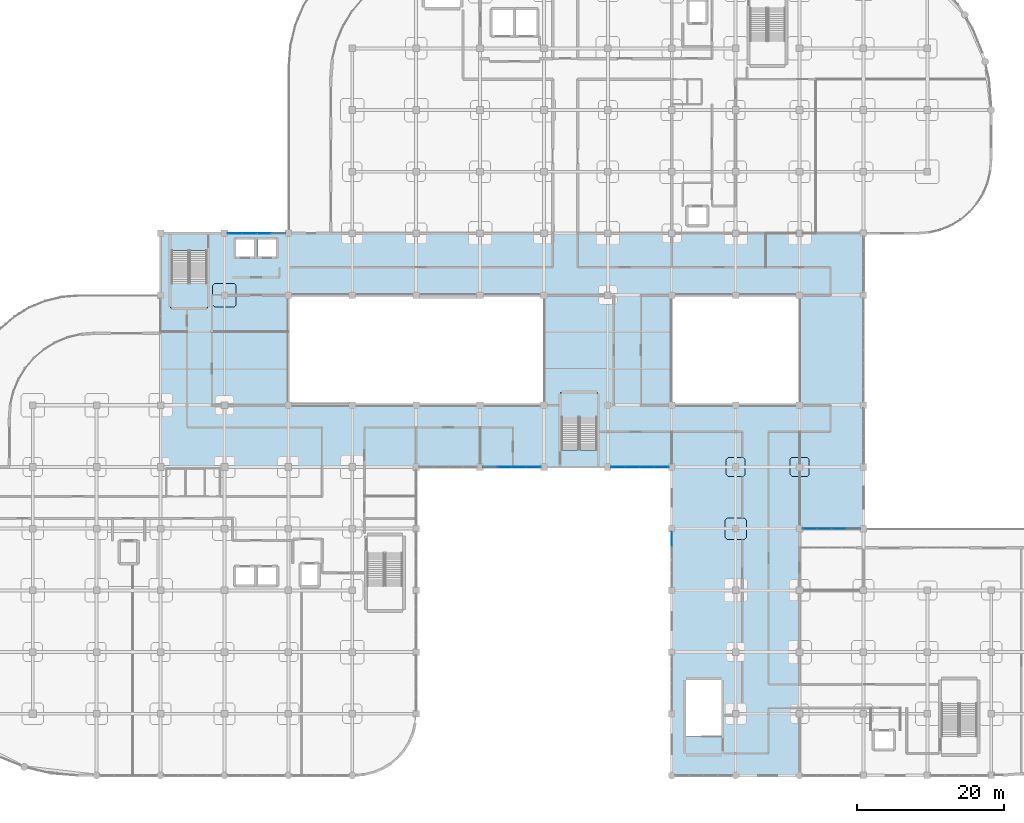
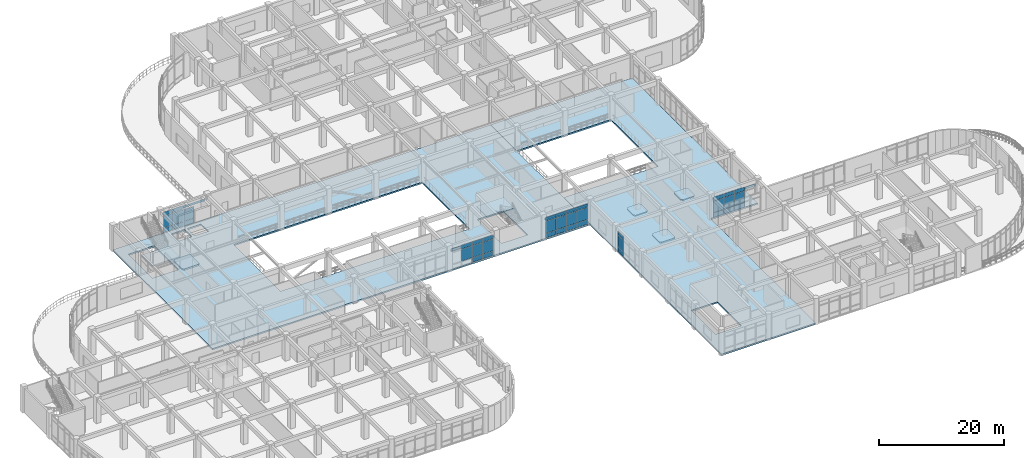
# One storey, part 91 of 120: 44 plates, 8 slabs, 7 elements without a shape of their own.
"""IFC4 building model written with IfcOpenShell, lengths in metres."""

from ifc_helpers import new_model, si_unit, derived_unit, direction, frame, origin, origin_2d, place, context, subcontext, project, spatial, polyline, rectangle, outline, extrude, material, layer, layer_set, type_object, element, aggregate, save


model = new_model("IFC4")

# Units and contexts
model_context = context("Model", 3, precision=1e-05, world=origin(), true_north=direction((0.0, 1.0)))
body_context = subcontext(model_context, "Body", "Model", "MODEL_VIEW")
ifc_project = project(units=[si_unit("LENGTHUNIT", "METRE"), si_unit("AREAUNIT", "SQUARE_METRE"), si_unit("VOLUMEUNIT", "CUBIC_METRE"), si_unit("PLANEANGLEUNIT", "RADIAN"), si_unit("MASSUNIT", "GRAM", prefix="KILO"), derived_unit("THERMALTRANSMITTANCEUNIT", [(si_unit("MASSUNIT", "GRAM", prefix="KILO"), 1), (si_unit("TIMEUNIT", "SECOND"), -3), (si_unit("THERMODYNAMICTEMPERATUREUNIT", "KELVIN"), -1)])], contexts=[model_context])

# Site, building, storey
site_placement = place(None, origin())
site = spatial("IfcSite", under=ifc_project, at=site_placement, CompositionType="ELEMENT")
building_placement = place(site_placement, origin())
building = spatial("IfcBuilding", under=site, at=building_placement, Name="Qinzheling Arcade Emporium", CompositionType="ELEMENT")
storey_placement = place(building_placement, frame((0.0, 0.0, 11.39990234375)))
storey = spatial("IfcBuildingStorey", under=building, at=storey_placement, Name="L03", CompositionType="ELEMENT", Elevation=11.39990234375)

# Slabs
ifc_material_1 = material(Name="Concrete C40", Category="concrete")
ifc_layer_1 = layer(ifc_material_1, 0.235107421875, Name="Concrete C40", Category="concrete")
ifc_layer_set_1 = layer_set([ifc_layer_1], Name="Concrete C40")
slab_type_1 = type_object("IfcSlabType", Name="Column Head Drop Panel 2600x2600x235 C40", PredefinedType="USERDEFINED", material=ifc_layer_set_1)
slab_1_placement = place(storey_placement, frame((0.0, 0.0, -0.514892578125)))
element("IfcSlab", 1, at=slab_1_placement, inside=storey, type_object=slab_type_1, Name="Column Drop Panel DP-L03-14-F", ObjectType="DROP_PANEL", PredefinedType="USERDEFINED", context=body_context, shape_type="SweptSolid", body=[
    extrude(outline(polyline([(112.080078125, 40.699951171875), (114.1201171875, 40.699951171875), (114.39990234375, 40.97998046875), (114.39990234375, 43.02001953125), (114.1201171875, 43.300048828125), (112.080078125, 43.300048828125), (111.800048828125, 43.02001953125), (111.800048828125, 40.97998046875), (112.080078125, 40.699951171875)])), origin(), (0.0, 0.0, 1.0), 0.235107421875),
])
slab_2_placement = place(storey_placement, frame((0.0, 0.0, -0.514892578125)))
element("IfcSlab", 2, at=slab_2_placement, inside=storey, type_object=slab_type_1, Name="Column Drop Panel DP-L03-15-F", ObjectType="DROP_PANEL", PredefinedType="USERDEFINED", context=body_context, shape_type="SweptSolid", body=[
    extrude(outline(polyline([(120.780029296875, 40.699951171875), (122.820068359375, 40.699951171875), (123.10009765625, 40.97998046875), (123.10009765625, 43.02001953125), (122.820068359375, 43.300048828125), (120.780029296875, 43.300048828125), (120.5, 43.02001953125), (120.5, 40.97998046875), (120.780029296875, 40.699951171875)])), origin(), (0.0, 0.0, 1.0), 0.235107421875),
])
ifc_layer_2 = layer(ifc_material_1, 0.27001953125, Name="Concrete C40", Category="concrete")
ifc_layer_set_2 = layer_set([ifc_layer_2], Name="Concrete C40")
slab_type_2 = type_object("IfcSlabType", Name="Column Head Drop Panel 2900x2900x270 C40", PredefinedType="USERDEFINED", material=ifc_layer_set_2)
slab_3_placement = place(storey_placement, frame((0.0, 0.0, -0.5498046875)))
element("IfcSlab", 3, at=slab_3_placement, inside=storey, type_object=slab_type_2, Name="Column Drop Panel DP-L03-14-E", ObjectType="DROP_PANEL", PredefinedType="USERDEFINED", context=body_context, shape_type="SweptSolid", body=[
    extrude(outline(polyline([(111.929931640625, 32.14990234375), (114.27001953125, 32.14990234375), (114.550048828125, 32.429931640625), (114.550048828125, 34.77001953125), (114.27001953125, 35.050048828125), (111.929931640625, 35.050048828125), (111.64990234375, 34.77001953125), (111.64990234375, 32.429931640625), (111.929931640625, 32.14990234375)])), origin(), (0.0, 0.0, 1.0), 0.27001953125),
])
ifc_layer_3 = layer(ifc_material_1, 0.300048828125, Name="Concrete C40", Category="concrete")
ifc_layer_set_3 = layer_set([ifc_layer_3], Name="Concrete C40")
slab_type_3 = type_object("IfcSlabType", Name="Column Head Drop Panel 3200x3200x300 C40", PredefinedType="USERDEFINED", material=ifc_layer_set_3)
slab_4_placement = place(storey_placement, frame((0.0, 0.0, -0.579833984375)))
element("IfcSlab", 4, at=slab_4_placement, inside=storey, type_object=slab_type_3, Name="Column Drop Panel DP-L03-6-H", ObjectType="DROP_PANEL", PredefinedType="USERDEFINED", context=body_context, shape_type="SweptSolid", body=[
    extrude(outline(polyline([(42.179931640625, 63.800048828125), (44.820068359375, 63.800048828125), (45.10009765625, 64.080078125), (45.10009765625, 66.719970703125), (44.820068359375, 67.0), (42.179931640625, 67.0), (41.89990234375, 66.719970703125), (41.89990234375, 64.080078125), (42.179931640625, 63.800048828125)])), origin(), (0.0, 0.0, 1.0), 0.300048828125),
])

# Curtain wall, plates
ifc_material_2 = material(Name="Anodised aluminium and solar-control double glazing", Category="aluminium")
ifc_layer_4 = layer(ifc_material_2, 0.159912109375, Name="Anodised aluminium and solar-control double glazing", Category="aluminium")
ifc_layer_set_4 = layer_set([ifc_layer_4], Name="Anodised aluminium and solar-control double glazing")
curtain_wall_type_1 = type_object("IfcCurtainWallType", Name="Atrium Clerestory Curtain Wall", PredefinedType="NOTDEFINED", material=ifc_layer_set_4)
curtain_wall_1_placement = place(storey_placement, origin())
curtain_wall_1 = element("IfcCurtainWall", 5, at=curtain_wall_1_placement, inside=storey, type_object=curtain_wall_type_1, Name="Curtain Wall CW-L03-142", PredefinedType="NOTDEFINED")
ifc_material_3 = material(Name="Laminated solar-control double glazing", Category="glass")
ifc_layer_5 = layer(ifc_material_3, 0.02099609375, Name="Laminated solar-control double glazing", Category="glass")
ifc_layer_set_5 = layer_set([ifc_layer_5], Name="Laminated solar-control double glazing")
plate_type_1 = type_object("IfcPlateType", Name="Low-E Double Glazed Curtain Panel 21mm", PredefinedType="CURTAIN_PANEL", material=ifc_layer_set_5)
plate_1_placement = place(storey_placement, frame((102.95849609375, 42.0, 0.06005859375), z_axis=(0.0, 0.0, 1.0), x_axis=(-1.0, 0.0, 0.0)))
plate_1 = element("IfcPlate", 6, at=plate_1_placement, type_object=plate_type_1, Name="CW03 panel 1.1", PredefinedType="CURTAIN_PANEL", context=body_context, shape_type="SweptSolid", body=[
    extrude(rectangle(XDim=1.85888671875, YDim=0.02099609375, at=origin_2d()), origin(), (0.0, 0.0, 1.0), 0.860107421875),
])
plate_2_placement = place(storey_placement, frame((102.95849609375, 42.0, 0.980224609375), z_axis=(0.0, 0.0, 1.0), x_axis=(-1.0, 0.0, 0.0)))
plate_2 = element("IfcPlate", 7, at=plate_2_placement, type_object=plate_type_1, Name="CW03 panel 1.2", PredefinedType="CURTAIN_PANEL", context=body_context, shape_type="SweptSolid", body=[
    extrude(rectangle(XDim=1.85888671875, YDim=0.02099609375, at=origin_2d()), origin(), (0.0, 0.0, 1.0), 2.294921875),
])
plate_3_placement = place(storey_placement, frame((102.95849609375, 42.0, 3.3349609375), z_axis=(0.0, 0.0, 1.0), x_axis=(-1.0, 0.0, 0.0)))
plate_3 = element("IfcPlate", 8, at=plate_3_placement, type_object=plate_type_1, Name="CW03 panel 1.3", PredefinedType="CURTAIN_PANEL", context=body_context, shape_type="SweptSolid", body=[
    extrude(rectangle(XDim=1.85888671875, YDim=0.02099609375, at=origin_2d()), origin(), (0.0, 0.0, 1.0), 0.760009765625),
])
plate_4_placement = place(storey_placement, frame((101.0244140625, 42.0, 0.06005859375), z_axis=(0.0, 0.0, 1.0), x_axis=(-1.0, 0.0, 0.0)))
plate_4 = element("IfcPlate", 9, at=plate_4_placement, type_object=plate_type_1, Name="CW03 panel 2.1", PredefinedType="CURTAIN_PANEL", context=body_context, shape_type="SweptSolid", body=[
    extrude(rectangle(XDim=1.888916015625, YDim=0.02099609375, at=origin_2d()), origin(), (0.0, 0.0, 1.0), 0.860107421875),
])
plate_5_placement = place(storey_placement, frame((101.0244140625, 42.0, 0.980224609375), z_axis=(0.0, 0.0, 1.0), x_axis=(-1.0, 0.0, 0.0)))
plate_5 = element("IfcPlate", 10, at=plate_5_placement, type_object=plate_type_1, Name="CW03 panel 2.2", PredefinedType="CURTAIN_PANEL", context=body_context, shape_type="SweptSolid", body=[
    extrude(rectangle(XDim=1.888916015625, YDim=0.02099609375, at=origin_2d()), origin(), (0.0, 0.0, 1.0), 2.294921875),
])
plate_6_placement = place(storey_placement, frame((101.0244140625, 42.0, 3.3349609375), z_axis=(0.0, 0.0, 1.0), x_axis=(-1.0, 0.0, 0.0)))
plate_6 = element("IfcPlate", 11, at=plate_6_placement, type_object=plate_type_1, Name="CW03 panel 2.3", PredefinedType="CURTAIN_PANEL", context=body_context, shape_type="SweptSolid", body=[
    extrude(rectangle(XDim=1.888916015625, YDim=0.02099609375, at=origin_2d()), origin(), (0.0, 0.0, 1.0), 0.760009765625),
])
plate_7_placement = place(storey_placement, frame((99.075439453125, 42.0, 0.06005859375), z_axis=(0.0, 0.0, 1.0), x_axis=(-1.0, 0.0, 0.0)))
plate_7 = element("IfcPlate", 12, at=plate_7_placement, type_object=plate_type_1, Name="CW03 panel 3.1", PredefinedType="CURTAIN_PANEL", context=body_context, shape_type="SweptSolid", body=[
    extrude(rectangle(XDim=1.888916015625, YDim=0.02099609375, at=origin_2d()), origin(), (0.0, 0.0, 1.0), 0.860107421875),
])
plate_8_placement = place(storey_placement, frame((99.075439453125, 42.0, 0.980224609375), z_axis=(0.0, 0.0, 1.0), x_axis=(-1.0, 0.0, 0.0)))
plate_8 = element("IfcPlate", 13, at=plate_8_placement, type_object=plate_type_1, Name="CW03 panel 3.2", PredefinedType="CURTAIN_PANEL", context=body_context, shape_type="SweptSolid", body=[
    extrude(rectangle(XDim=1.888916015625, YDim=0.02099609375, at=origin_2d()), origin(), (0.0, 0.0, 1.0), 2.294921875),
])
plate_9_placement = place(storey_placement, frame((99.075439453125, 42.0, 3.3349609375), z_axis=(0.0, 0.0, 1.0), x_axis=(-1.0, 0.0, 0.0)))
plate_9 = element("IfcPlate", 14, at=plate_9_placement, type_object=plate_type_1, Name="CW03 panel 3.3", PredefinedType="CURTAIN_PANEL", context=body_context, shape_type="SweptSolid", body=[
    extrude(rectangle(XDim=1.888916015625, YDim=0.02099609375, at=origin_2d()), origin(), (0.0, 0.0, 1.0), 0.760009765625),
])
plate_10_placement = place(storey_placement, frame((97.1416015625, 42.0, 0.06005859375), z_axis=(0.0, 0.0, 1.0), x_axis=(-1.0, 0.0, 0.0)))
plate_10 = element("IfcPlate", 15, at=plate_10_placement, type_object=plate_type_1, Name="CW03 panel 4.1", PredefinedType="CURTAIN_PANEL", context=body_context, shape_type="SweptSolid", body=[
    extrude(rectangle(XDim=1.85888671875, YDim=0.02099609375, at=origin_2d()), origin(), (0.0, 0.0, 1.0), 0.860107421875),
])
plate_11_placement = place(storey_placement, frame((97.1416015625, 42.0, 0.980224609375), z_axis=(0.0, 0.0, 1.0), x_axis=(-1.0, 0.0, 0.0)))
plate_11 = element("IfcPlate", 16, at=plate_11_placement, type_object=plate_type_1, Name="CW03 panel 4.2", PredefinedType="CURTAIN_PANEL", context=body_context, shape_type="SweptSolid", body=[
    extrude(rectangle(XDim=1.85888671875, YDim=0.02099609375, at=origin_2d()), origin(), (0.0, 0.0, 1.0), 2.294921875),
])
plate_12_placement = place(storey_placement, frame((97.1416015625, 42.0, 3.3349609375), z_axis=(0.0, 0.0, 1.0), x_axis=(-1.0, 0.0, 0.0)))
plate_12 = element("IfcPlate", 17, at=plate_12_placement, type_object=plate_type_1, Name="CW03 panel 4.3", PredefinedType="CURTAIN_PANEL", context=body_context, shape_type="SweptSolid", body=[
    extrude(rectangle(XDim=1.85888671875, YDim=0.02099609375, at=origin_2d()), origin(), (0.0, 0.0, 1.0), 0.760009765625),
])
aggregate(curtain_wall_1, [plate_1, plate_2, plate_3, plate_4, plate_5, plate_6, plate_7, plate_8, plate_9, plate_10, plate_11, plate_12])

curtain_wall_2_placement = place(storey_placement, origin())
curtain_wall_2 = element("IfcCurtainWall", 18, at=curtain_wall_2_placement, inside=storey, type_object=curtain_wall_type_1, Name="Curtain Wall CW-L03-174", PredefinedType="NOTDEFINED")
plate_13_placement = place(storey_placement, frame((44.94140625, 73.800048828125, 0.06005859375), z_axis=(0.0, 0.0, 1.0), x_axis=(1.0, 0.0, 0.0)))
plate_13 = element("IfcPlate", 19, at=plate_13_placement, type_object=plate_type_1, Name="CW03 panel 1.1", PredefinedType="CURTAIN_PANEL", context=body_context, shape_type="SweptSolid", body=[
    extrude(rectangle(XDim=1.85888671875, YDim=0.02099609375, at=origin_2d()), origin(), (0.0, 0.0, 1.0), 0.860107421875),
])
plate_14_placement = place(storey_placement, frame((44.94140625, 73.800048828125, 0.980224609375), z_axis=(0.0, 0.0, 1.0), x_axis=(1.0, 0.0, 0.0)))
plate_14 = element("IfcPlate", 20, at=plate_14_placement, type_object=plate_type_1, Name="CW03 panel 1.2", PredefinedType="CURTAIN_PANEL", context=body_context, shape_type="SweptSolid", body=[
    extrude(rectangle(XDim=1.85888671875, YDim=0.02099609375, at=origin_2d()), origin(), (0.0, 0.0, 1.0), 2.294921875),
])
plate_15_placement = place(storey_placement, frame((44.94140625, 73.800048828125, 3.3349609375), z_axis=(0.0, 0.0, 1.0), x_axis=(1.0, 0.0, 0.0)))
plate_15 = element("IfcPlate", 21, at=plate_15_placement, type_object=plate_type_1, Name="CW03 panel 1.3", PredefinedType="CURTAIN_PANEL", context=body_context, shape_type="SweptSolid", body=[
    extrude(rectangle(XDim=1.85888671875, YDim=0.02099609375, at=origin_2d()), origin(), (0.0, 0.0, 1.0), 0.760009765625),
])
plate_16_placement = place(storey_placement, frame((46.87548828125, 73.800048828125, 0.06005859375), z_axis=(0.0, 0.0, 1.0), x_axis=(1.0, 0.0, 0.0)))
plate_16 = element("IfcPlate", 22, at=plate_16_placement, type_object=plate_type_1, Name="CW03 panel 2.1", PredefinedType="CURTAIN_PANEL", context=body_context, shape_type="SweptSolid", body=[
    extrude(rectangle(XDim=1.888916015625, YDim=0.02099609375, at=origin_2d()), origin(), (0.0, 0.0, 1.0), 0.860107421875),
])
plate_17_placement = place(storey_placement, frame((46.87548828125, 73.800048828125, 0.980224609375), z_axis=(0.0, 0.0, 1.0), x_axis=(1.0, 0.0, 0.0)))
plate_17 = element("IfcPlate", 23, at=plate_17_placement, type_object=plate_type_1, Name="CW03 panel 2.2", PredefinedType="CURTAIN_PANEL", context=body_context, shape_type="SweptSolid", body=[
    extrude(rectangle(XDim=1.888916015625, YDim=0.02099609375, at=origin_2d()), origin(), (0.0, 0.0, 1.0), 2.294921875),
])
plate_18_placement = place(storey_placement, frame((46.87548828125, 73.800048828125, 3.3349609375), z_axis=(0.0, 0.0, 1.0), x_axis=(1.0, 0.0, 0.0)))
plate_18 = element("IfcPlate", 24, at=plate_18_placement, type_object=plate_type_1, Name="CW03 panel 2.3", PredefinedType="CURTAIN_PANEL", context=body_context, shape_type="SweptSolid", body=[
    extrude(rectangle(XDim=1.888916015625, YDim=0.02099609375, at=origin_2d()), origin(), (0.0, 0.0, 1.0), 0.760009765625),
])
plate_19_placement = place(storey_placement, frame((48.824462890625, 73.800048828125, 0.06005859375), z_axis=(0.0, 0.0, 1.0), x_axis=(1.0, 0.0, 0.0)))
plate_19 = element("IfcPlate", 25, at=plate_19_placement, type_object=plate_type_1, Name="CW03 panel 3.1", PredefinedType="CURTAIN_PANEL", context=body_context, shape_type="SweptSolid", body=[
    extrude(rectangle(XDim=1.888916015625, YDim=0.02099609375, at=origin_2d()), origin(), (0.0, 0.0, 1.0), 0.860107421875),
])
plate_20_placement = place(storey_placement, frame((48.824462890625, 73.800048828125, 0.980224609375), z_axis=(0.0, 0.0, 1.0), x_axis=(1.0, 0.0, 0.0)))
plate_20 = element("IfcPlate", 26, at=plate_20_placement, type_object=plate_type_1, Name="CW03 panel 3.2", PredefinedType="CURTAIN_PANEL", context=body_context, shape_type="SweptSolid", body=[
    extrude(rectangle(XDim=1.888916015625, YDim=0.02099609375, at=origin_2d()), origin(), (0.0, 0.0, 1.0), 2.294921875),
])
aggregate(curtain_wall_2, [plate_13, plate_14, plate_15, plate_16, plate_17, plate_18, plate_19, plate_20])

curtain_wall_3_placement = place(storey_placement, origin())
curtain_wall_3 = element("IfcCurtainWall", 27, at=curtain_wall_3_placement, inside=storey, type_object=curtain_wall_type_1, Name="Curtain Wall CW-L03-143", PredefinedType="NOTDEFINED")
ifc_layer_6 = layer(ifc_material_3, 0.02197265625, Name="Laminated solar-control double glazing", Category="glass")
ifc_layer_set_6 = layer_set([ifc_layer_6], Name="Laminated solar-control double glazing")
plate_type_2 = type_object("IfcPlateType", Name="Low-E Double Glazed Curtain Panel 22mm", PredefinedType="CURTAIN_PANEL", material=ifc_layer_set_6)
plate_21_placement = place(storey_placement, frame((85.55859375, 42.0, 0.06005859375), z_axis=(0.0, 0.0, 1.0), x_axis=(-1.0, 0.0, 0.0)))
plate_21 = element("IfcPlate", 28, at=plate_21_placement, type_object=plate_type_2, Name="CW03 panel 1.1", PredefinedType="CURTAIN_PANEL", context=body_context, shape_type="SweptSolid", body=[
    extrude(rectangle(XDim=1.85888671875, YDim=0.02197265625, at=origin_2d()), origin(), (0.0, 0.0, 1.0), 0.860107421875),
])
plate_22_placement = place(storey_placement, frame((85.55859375, 42.0, 0.980224609375), z_axis=(0.0, 0.0, 1.0), x_axis=(-1.0, 0.0, 0.0)))
plate_22 = element("IfcPlate", 29, at=plate_22_placement, type_object=plate_type_2, Name="CW03 panel 1.2", PredefinedType="CURTAIN_PANEL", context=body_context, shape_type="SweptSolid", body=[
    extrude(rectangle(XDim=1.85888671875, YDim=0.02197265625, at=origin_2d()), origin(), (0.0, 0.0, 1.0), 2.294921875),
])
plate_23_placement = place(storey_placement, frame((85.55859375, 42.0, 3.3349609375), z_axis=(0.0, 0.0, 1.0), x_axis=(-1.0, 0.0, 0.0)))
plate_23 = element("IfcPlate", 30, at=plate_23_placement, type_object=plate_type_2, Name="CW03 panel 1.3", PredefinedType="CURTAIN_PANEL", context=body_context, shape_type="SweptSolid", body=[
    extrude(rectangle(XDim=1.85888671875, YDim=0.02197265625, at=origin_2d()), origin(), (0.0, 0.0, 1.0), 0.760009765625),
])
plate_24_placement = place(storey_placement, frame((83.62451171875, 42.0, 0.06005859375), z_axis=(0.0, 0.0, 1.0), x_axis=(-1.0, 0.0, 0.0)))
plate_24 = element("IfcPlate", 31, at=plate_24_placement, type_object=plate_type_2, Name="CW03 panel 2.1", PredefinedType="CURTAIN_PANEL", context=body_context, shape_type="SweptSolid", body=[
    extrude(rectangle(XDim=1.888916015625, YDim=0.02197265625, at=origin_2d()), origin(), (0.0, 0.0, 1.0), 0.860107421875),
])
plate_25_placement = place(storey_placement, frame((83.62451171875, 42.0, 0.980224609375), z_axis=(0.0, 0.0, 1.0), x_axis=(-1.0, 0.0, 0.0)))
plate_25 = element("IfcPlate", 32, at=plate_25_placement, type_object=plate_type_2, Name="CW03 panel 2.2", PredefinedType="CURTAIN_PANEL", context=body_context, shape_type="SweptSolid", body=[
    extrude(rectangle(XDim=1.888916015625, YDim=0.02197265625, at=origin_2d()), origin(), (0.0, 0.0, 1.0), 2.294921875),
])
plate_26_placement = place(storey_placement, frame((83.62451171875, 42.0, 3.3349609375), z_axis=(0.0, 0.0, 1.0), x_axis=(-1.0, 0.0, 0.0)))
plate_26 = element("IfcPlate", 33, at=plate_26_placement, type_object=plate_type_2, Name="CW03 panel 2.3", PredefinedType="CURTAIN_PANEL", context=body_context, shape_type="SweptSolid", body=[
    extrude(rectangle(XDim=1.888916015625, YDim=0.02197265625, at=origin_2d()), origin(), (0.0, 0.0, 1.0), 0.760009765625),
])
plate_27_placement = place(storey_placement, frame((81.675537109375, 42.0, 0.980224609375), z_axis=(0.0, 0.0, 1.0), x_axis=(-1.0, 0.0, 0.0)))
plate_27 = element("IfcPlate", 34, at=plate_27_placement, type_object=plate_type_2, Name="CW03 panel 3.2", PredefinedType="CURTAIN_PANEL", context=body_context, shape_type="SweptSolid", body=[
    extrude(rectangle(XDim=1.888916015625, YDim=0.02197265625, at=origin_2d()), origin(), (0.0, 0.0, 1.0), 2.294921875),
])
plate_28_placement = place(storey_placement, frame((81.675537109375, 42.0, 3.3349609375), z_axis=(0.0, 0.0, 1.0), x_axis=(-1.0, 0.0, 0.0)))
plate_28 = element("IfcPlate", 35, at=plate_28_placement, type_object=plate_type_2, Name="CW03 panel 3.3", PredefinedType="CURTAIN_PANEL", context=body_context, shape_type="SweptSolid", body=[
    extrude(rectangle(XDim=1.888916015625, YDim=0.02197265625, at=origin_2d()), origin(), (0.0, 0.0, 1.0), 0.760009765625),
])
aggregate(curtain_wall_3, [plate_21, plate_22, plate_23, plate_24, plate_25, plate_26, plate_27, plate_28])

ifc_layer_7 = layer(ifc_material_2, 0.159912109375, Name="Anodised aluminium and solar-control double glazing", Category="aluminium")
ifc_layer_set_7 = layer_set([ifc_layer_7], Name="Anodised aluminium and solar-control double glazing")
curtain_wall_type_2 = type_object("IfcCurtainWallType", Name="Food Hall Loggia Curtain Wall", PredefinedType="NOTDEFINED", material=ifc_layer_set_7)
curtain_wall_4_placement = place(storey_placement, origin())
curtain_wall_4 = element("IfcCurtainWall", 36, at=curtain_wall_4_placement, inside=storey, type_object=curtain_wall_type_2, Name="Curtain Wall CW-L03-204", PredefinedType="NOTDEFINED")
ifc_layer_8 = layer(ifc_material_3, 0.0400390625, Name="Laminated solar-control double glazing", Category="glass")
ifc_layer_set_8 = layer_set([ifc_layer_8], Name="Laminated solar-control double glazing")
plate_type_3 = type_object("IfcPlateType", Name="Low-E Double Glazed Curtain Panel 40mm", PredefinedType="CURTAIN_PANEL", material=ifc_layer_set_8)
plate_29_placement = place(storey_placement, frame((127.12451171875, 33.60009765625, 0.06005859375), z_axis=(0.0, 0.0, 1.0), x_axis=(-1.0, 0.0, 0.0)))
plate_29 = element("IfcPlate", 37, at=plate_29_placement, type_object=plate_type_3, Name="CW04 panel 2.1", PredefinedType="CURTAIN_PANEL", context=body_context, shape_type="SweptSolid", body=[
    extrude(rectangle(XDim=1.888916015625, YDim=0.0400390625, at=origin_2d()), origin(), (0.0, 0.0, 1.0), 0.860107421875),
])
plate_30_placement = place(storey_placement, frame((127.12451171875, 33.60009765625, 0.97998046875), z_axis=(0.0, 0.0, 1.0), x_axis=(-1.0, 0.0, 0.0)))
plate_30 = element("IfcPlate", 38, at=plate_30_placement, type_object=plate_type_3, Name="CW04 panel 2.2", PredefinedType="CURTAIN_PANEL", context=body_context, shape_type="SweptSolid", body=[
    extrude(rectangle(XDim=1.888916015625, YDim=0.0400390625, at=origin_2d()), origin(), (0.0, 0.0, 1.0), 2.195068359375),
])
plate_31_placement = place(storey_placement, frame((127.12451171875, 33.60009765625, 3.23486328125), z_axis=(0.0, 0.0, 1.0), x_axis=(-1.0, 0.0, 0.0)))
plate_31 = element("IfcPlate", 39, at=plate_31_placement, type_object=plate_type_3, Name="CW04 panel 2.3", PredefinedType="CURTAIN_PANEL", context=body_context, shape_type="SweptSolid", body=[
    extrude(rectangle(XDim=1.888916015625, YDim=0.0400390625, at=origin_2d()), origin(), (0.0, 0.0, 1.0), 0.760009765625),
])
plate_32_placement = place(storey_placement, frame((125.175537109375, 33.60009765625, 0.06005859375), z_axis=(0.0, 0.0, 1.0), x_axis=(-1.0, 0.0, 0.0)))
plate_32 = element("IfcPlate", 40, at=plate_32_placement, type_object=plate_type_3, Name="CW04 panel 3.1", PredefinedType="CURTAIN_PANEL", context=body_context, shape_type="SweptSolid", body=[
    extrude(rectangle(XDim=1.888916015625, YDim=0.0400390625, at=origin_2d()), origin(), (0.0, 0.0, 1.0), 0.860107421875),
])
plate_33_placement = place(storey_placement, frame((125.175537109375, 33.60009765625, 0.97998046875), z_axis=(0.0, 0.0, 1.0), x_axis=(-1.0, 0.0, 0.0)))
plate_33 = element("IfcPlate", 41, at=plate_33_placement, type_object=plate_type_3, Name="CW04 panel 3.2", PredefinedType="CURTAIN_PANEL", context=body_context, shape_type="SweptSolid", body=[
    extrude(rectangle(XDim=1.888916015625, YDim=0.0400390625, at=origin_2d()), origin(), (0.0, 0.0, 1.0), 2.195068359375),
])
plate_34_placement = place(storey_placement, frame((125.175537109375, 33.60009765625, 3.23486328125), z_axis=(0.0, 0.0, 1.0), x_axis=(-1.0, 0.0, 0.0)))
plate_34 = element("IfcPlate", 42, at=plate_34_placement, type_object=plate_type_3, Name="CW04 panel 3.3", PredefinedType="CURTAIN_PANEL", context=body_context, shape_type="SweptSolid", body=[
    extrude(rectangle(XDim=1.888916015625, YDim=0.0400390625, at=origin_2d()), origin(), (0.0, 0.0, 1.0), 0.760009765625),
])
plate_35_placement = place(storey_placement, frame((123.241455078125, 33.60009765625, 0.06005859375), z_axis=(0.0, 0.0, 1.0), x_axis=(-1.0, 0.0, 0.0)))
plate_35 = element("IfcPlate", 43, at=plate_35_placement, type_object=plate_type_3, Name="CW04 panel 4.1", PredefinedType="CURTAIN_PANEL", context=body_context, shape_type="SweptSolid", body=[
    extrude(rectangle(XDim=1.85888671875, YDim=0.0400390625, at=origin_2d()), origin(), (0.0, 0.0, 1.0), 0.860107421875),
])
plate_36_placement = place(storey_placement, frame((123.241455078125, 33.60009765625, 0.97998046875), z_axis=(0.0, 0.0, 1.0), x_axis=(-1.0, 0.0, 0.0)))
plate_36 = element("IfcPlate", 44, at=plate_36_placement, type_object=plate_type_3, Name="CW04 panel 4.2", PredefinedType="CURTAIN_PANEL", context=body_context, shape_type="SweptSolid", body=[
    extrude(rectangle(XDim=1.85888671875, YDim=0.0400390625, at=origin_2d()), origin(), (0.0, 0.0, 1.0), 2.195068359375),
])
plate_37_placement = place(storey_placement, frame((123.241455078125, 33.60009765625, 3.23486328125), z_axis=(0.0, 0.0, 1.0), x_axis=(-1.0, 0.0, 0.0)))
plate_37 = element("IfcPlate", 45, at=plate_37_placement, type_object=plate_type_3, Name="CW04 panel 4.3", PredefinedType="CURTAIN_PANEL", context=body_context, shape_type="SweptSolid", body=[
    extrude(rectangle(XDim=1.85888671875, YDim=0.0400390625, at=origin_2d()), origin(), (0.0, 0.0, 1.0), 0.760009765625),
])
aggregate(curtain_wall_4, [plate_29, plate_30, plate_31, plate_32, plate_33, plate_34, plate_35, plate_36, plate_37])

ifc_layer_9 = layer(ifc_material_2, 0.159912109375, Name="Anodised aluminium and solar-control double glazing", Category="aluminium")
ifc_layer_set_9 = layer_set([ifc_layer_9], Name="Anodised aluminium and solar-control double glazing")
curtain_wall_type_3 = type_object("IfcCurtainWallType", Name="Arcade Portal Glazed Curtain Wall", PredefinedType="NOTDEFINED", material=ifc_layer_set_9)
curtain_wall_5_placement = place(storey_placement, origin())
curtain_wall_5 = element("IfcCurtainWall", 46, at=curtain_wall_5_placement, inside=storey, type_object=curtain_wall_type_3, Name="Curtain Wall CW-L03-141", PredefinedType="NOTDEFINED")
ifc_layer_10 = layer(ifc_material_3, 0.0419921875, Name="Laminated solar-control double glazing", Category="glass")
ifc_layer_set_10 = layer_set([ifc_layer_10], Name="Laminated solar-control double glazing")
plate_type_4 = type_object("IfcPlateType", Name="Low-E Double Glazed Curtain Panel 42mm", PredefinedType="CURTAIN_PANEL", material=ifc_layer_set_10)
plate_38_placement = place(storey_placement, frame((104.39990234375, 32.196044921875, 0.06005859375), z_axis=(0.0, 0.0, 1.0), x_axis=(0.0, 1.0, 0.0)))
plate_38 = element("IfcPlate", 47, at=plate_38_placement, type_object=plate_type_4, Name="CW05 panel 4.1", PredefinedType="CURTAIN_PANEL", context=body_context, shape_type="SweptSolid", body=[
    extrude(rectangle(XDim=1.783935546875, YDim=0.0419921875, at=origin_2d()), origin(), (0.0, 0.0, 1.0), 0.860107421875),
])
plate_39_placement = place(storey_placement, frame((104.39990234375, 32.196044921875, 0.97998046875), z_axis=(0.0, 0.0, 1.0), x_axis=(0.0, 1.0, 0.0)))
plate_39 = element("IfcPlate", 48, at=plate_39_placement, type_object=plate_type_4, Name="CW05 panel 4.2", PredefinedType="CURTAIN_PANEL", context=body_context, shape_type="SweptSolid", body=[
    extrude(rectangle(XDim=1.783935546875, YDim=0.0419921875, at=origin_2d()), origin(), (0.0, 0.0, 1.0), 2.195068359375),
])
plate_40_placement = place(storey_placement, frame((104.39990234375, 32.196044921875, 3.23486328125), z_axis=(0.0, 0.0, 1.0), x_axis=(0.0, 1.0, 0.0)))
plate_40 = element("IfcPlate", 49, at=plate_40_placement, type_object=plate_type_4, Name="CW05 panel 4.3", PredefinedType="CURTAIN_PANEL", context=body_context, shape_type="SweptSolid", body=[
    extrude(rectangle(XDim=1.783935546875, YDim=0.0419921875, at=origin_2d()), origin(), (0.0, 0.0, 1.0), 0.760009765625),
])
aggregate(curtain_wall_5, [plate_38, plate_39, plate_40])

# Slabs
ifc_layer_11 = layer(ifc_material_1, 0.280029296875, Name="Concrete C40", Category="concrete")
ifc_layer_set_11 = layer_set([ifc_layer_11], Name="Concrete C40")
slab_type_4 = type_object("IfcSlabType", Name="Retail Two-Way Flat Slab 280 C40", PredefinedType="FLOOR", material=ifc_layer_set_11)
slab_5_placement = place(storey_placement, frame((0.0, 0.0, -0.27978515625)))
element("IfcSlab", 50, at=slab_5_placement, inside=storey, type_object=slab_type_4, Name="Floor Slab SLB-L03-V2", PredefinedType="FLOOR", context=body_context, shape_type="SweptSolid", body=[
    extrude(outline(polyline([(34.800048828125, 42.0), (104.39990234375, 42.0), (104.39990234375, 50.39990234375), (104.39990234375, 65.39990234375), (104.39990234375, 73.800048828125), (34.800048828125, 73.800048828125), (34.800048828125, 42.0)]), holes=[polyline([(89.39990234375, 44.324951171875), (89.39990234375, 52.0), (94.18994140625, 52.0), (94.18994140625, 44.324951171875), (89.39990234375, 44.324951171875)]), polyline([(87.0, 50.39990234375), (52.199951171875, 50.39990234375), (52.199951171875, 65.39990234375), (87.0, 65.39990234375), (87.0, 50.39990234375)]), polyline([(48.050048828125, 70.64990234375), (48.050048828125, 72.949951171875), (50.550048828125, 72.949951171875), (50.550048828125, 70.64990234375), (48.050048828125, 70.64990234375)]), polyline([(45.050048828125, 70.64990234375), (45.050048828125, 72.949951171875), (47.550048828125, 72.949951171875), (47.550048828125, 70.64990234375), (45.050048828125, 70.64990234375)]), polyline([(41.090087890625, 63.800048828125), (36.300048828125, 63.800048828125), (36.300048828125, 71.47509765625), (41.090087890625, 71.47509765625), (41.090087890625, 63.800048828125)])]), origin(), (0.0, 0.0, 1.0), 0.27978515625),
])
slab_6_placement = place(storey_placement, frame((0.0, 0.0, -0.27978515625)))
element("IfcSlab", 51, at=slab_6_placement, inside=storey, type_object=slab_type_4, Name="Floor Slab SLB-L03-V3", PredefinedType="FLOOR", context=body_context, shape_type="SweptSolid", body=[
    extrude(outline(polyline([(104.39990234375, 0.0), (121.800048828125, 0.0), (121.800048828125, 33.60009765625), (130.5, 33.60009765625), (130.5, 73.800048828125), (104.39990234375, 73.800048828125), (104.39990234375, 65.39990234375), (121.800048828125, 65.39990234375), (121.800048828125, 50.39990234375), (104.39990234375, 50.39990234375), (104.39990234375, 0.0)]), holes=[polyline([(111.14501953125, 5.324951171875), (106.35498046875, 5.324951171875), (106.35498046875, 13.0), (111.14501953125, 13.0), (111.14501953125, 5.324951171875)])]), origin(), (0.0, 0.0, 1.0), 0.27978515625),
])

# Stair, slab
stair_type = type_object("IfcStairType", Name="Cast-in-Situ Dog-Leg Escape Stair H5100", PredefinedType="HALF_TURN_STAIR", material=ifc_material_1)
stair_1_placement = place(storey_placement, origin())
stair_1 = element("IfcStair", 52, at=stair_1_placement, inside=storey, type_object=stair_type, Name="L03 ST03", PredefinedType="HALF_TURN_STAIR")
ifc_layer_12 = layer(ifc_material_1, 0.199951171875, Name="Concrete C40", Category="concrete")
ifc_layer_set_12 = layer_set([ifc_layer_12], Name="Concrete C40")
slab_type_5 = type_object("IfcSlabType", Name="Stair Half-Turn Landing Slab 200 C40", PredefinedType="LANDING", material=ifc_layer_set_12)
slab_7_placement = place(storey_placement, frame((0.0, 0.0, 2.35009765625)))
slab_7 = element("IfcSlab", 53, at=slab_7_placement, type_object=slab_type_5, Name="ST03 landing 1", PredefinedType="LANDING", context=body_context, shape_type="SweptSolid", body=[
    extrude(outline(polyline([(36.179931640625, 67.1201171875), (41.2099609375, 67.1201171875), (41.2099609375, 63.679931640625), (36.179931640625, 63.679931640625), (36.179931640625, 67.1201171875)])), origin(), (0.0, 0.0, 1.0), 0.199951171875),
])
aggregate(stair_1, [slab_7])

stair_2_placement = place(storey_placement, origin())
stair_2 = element("IfcStair", 54, at=stair_2_placement, inside=storey, type_object=stair_type, Name="L03 ST04", PredefinedType="HALF_TURN_STAIR")
slab_8_placement = place(storey_placement, frame((0.0, 0.0, 2.35009765625)))
slab_8 = element("IfcSlab", 55, at=slab_8_placement, type_object=slab_type_5, Name="ST04 landing 1", PredefinedType="LANDING", context=body_context, shape_type="SweptSolid", body=[
    extrude(outline(polyline([(94.31005859375, 48.679931640625), (89.280029296875, 48.679931640625), (89.280029296875, 52.1201171875), (94.31005859375, 52.1201171875), (94.31005859375, 48.679931640625)])), origin(), (0.0, 0.0, 1.0), 0.199951171875),
])
aggregate(stair_2, [slab_8])

# Plates
ifc_material_4 = material(Name="Perforated anodised aluminium sheet", Category="aluminium")
ifc_layer_13 = layer(ifc_material_4, 0.011962890625, Name="Perforated anodised aluminium sheet", Category="aluminium")
ifc_layer_set_13 = layer_set([ifc_layer_13], Name="Perforated anodised aluminium sheet")
plate_type_5 = type_object("IfcPlateType", Name="Typhoon Storm Louvre Blade 12mm", PredefinedType="SHEET", material=ifc_layer_set_13)
plate_41_placement = place(storey_placement, frame((82.64990234375, 42.0, 3.580078125), z_axis=(0.0, 0.0, 1.0), x_axis=(-1.0, 0.0, 0.0)))
element("IfcPlate", 56, at=plate_41_placement, inside=storey, type_object=plate_type_5, Name="Storm Louvre PLT-SLV-L03-028", PredefinedType="SHEET", context=body_context, shape_type="SweptSolid", body=[
    extrude(rectangle(XDim=7.825927734375, YDim=0.011962890625, at=origin_2d()), origin(), (0.0, 0.0, 1.0), 0.449951171875),
])
ifc_layer_14 = layer(ifc_material_4, 0.014892578125, Name="Perforated anodised aluminium sheet", Category="aluminium")
ifc_layer_set_14 = layer_set([ifc_layer_14], Name="Perforated anodised aluminium sheet")
plate_type_6 = type_object("IfcPlateType", Name="Typhoon Storm Louvre Blade 15mm", PredefinedType="SHEET", material=ifc_layer_set_14)
plate_42_placement = place(storey_placement, frame((126.14990234375, 33.60009765625, 3.47998046875), z_axis=(0.0, 0.0, 1.0), x_axis=(-1.0, 0.0, 0.0)))
element("IfcPlate", 57, at=plate_42_placement, inside=storey, type_object=plate_type_6, Name="Storm Louvre PLT-SLV-L03-041", PredefinedType="SHEET", context=body_context, shape_type="SweptSolid", body=[
    extrude(rectangle(XDim=7.825927734375, YDim=0.014892578125, at=origin_2d()), origin(), (0.0, 0.0, 1.0), 0.449951171875),
])
ifc_layer_15 = layer(ifc_material_4, 0.01806640625, Name="Perforated anodised aluminium sheet", Category="aluminium")
ifc_layer_set_15 = layer_set([ifc_layer_15], Name="Perforated anodised aluminium sheet")
plate_type_7 = type_object("IfcPlateType", Name="Typhoon Storm Louvre Blade 18mm", PredefinedType="SHEET", material=ifc_layer_set_15)
plate_43_placement = place(storey_placement, frame((47.85009765625, 73.800048828125, 3.580078125), z_axis=(0.0, 0.0, 1.0), x_axis=(1.0, 0.0, 0.0)))
element("IfcPlate", 58, at=plate_43_placement, inside=storey, type_object=plate_type_7, Name="Storm Louvre PLT-SLV-L03-038", PredefinedType="SHEET", context=body_context, shape_type="SweptSolid", body=[
    extrude(rectangle(XDim=7.825927734375, YDim=0.01806640625, at=origin_2d()), origin(), (0.0, 0.0, 1.0), 0.449951171875),
])
ifc_layer_16 = layer(ifc_material_4, 0.02001953125, Name="Perforated anodised aluminium sheet", Category="aluminium")
ifc_layer_set_16 = layer_set([ifc_layer_16], Name="Perforated anodised aluminium sheet")
plate_type_8 = type_object("IfcPlateType", Name="Typhoon Storm Louvre Blade 20mm", PredefinedType="SHEET", material=ifc_layer_set_16)
plate_44_placement = place(storey_placement, frame((100.050048828125, 42.0, 3.580078125), z_axis=(0.0, 0.0, 1.0), x_axis=(-1.0, 0.0, 0.0)))
element("IfcPlate", 59, at=plate_44_placement, inside=storey, type_object=plate_type_8, Name="Storm Louvre PLT-SLV-L03-027", PredefinedType="SHEET", context=body_context, shape_type="SweptSolid", body=[
    extrude(rectangle(XDim=7.825927734375, YDim=0.02001953125, at=origin_2d()), origin(), (0.0, 0.0, 1.0), 0.449951171875),
])

save(model, "model.ifc")
